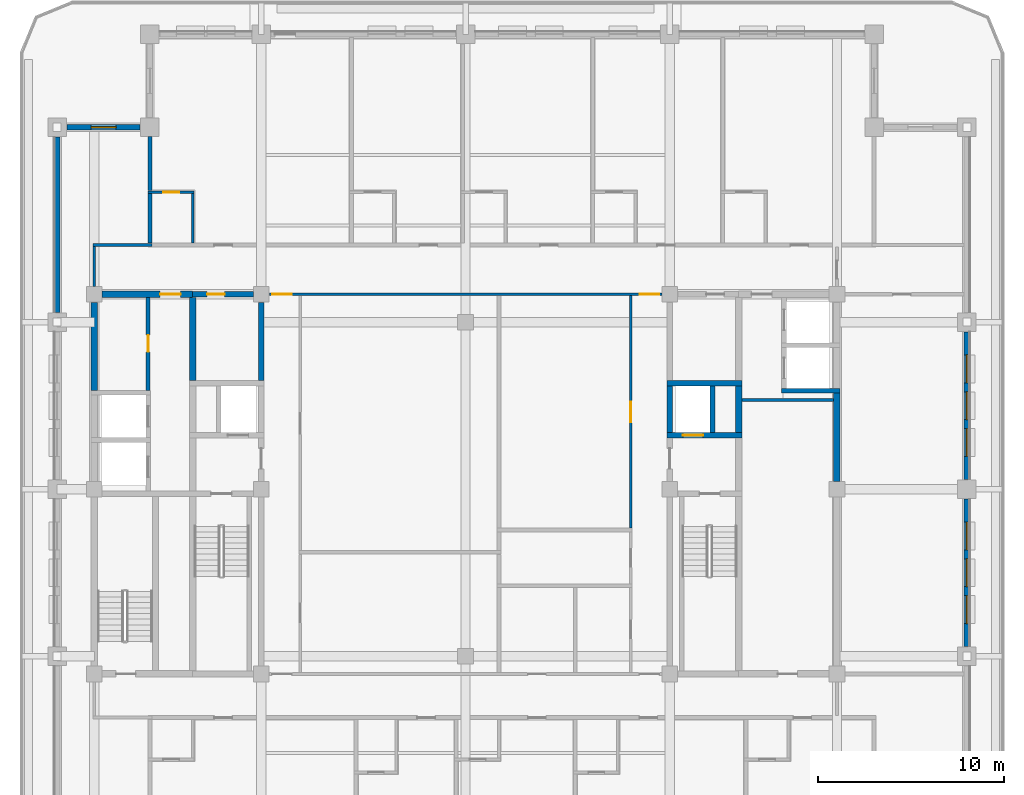
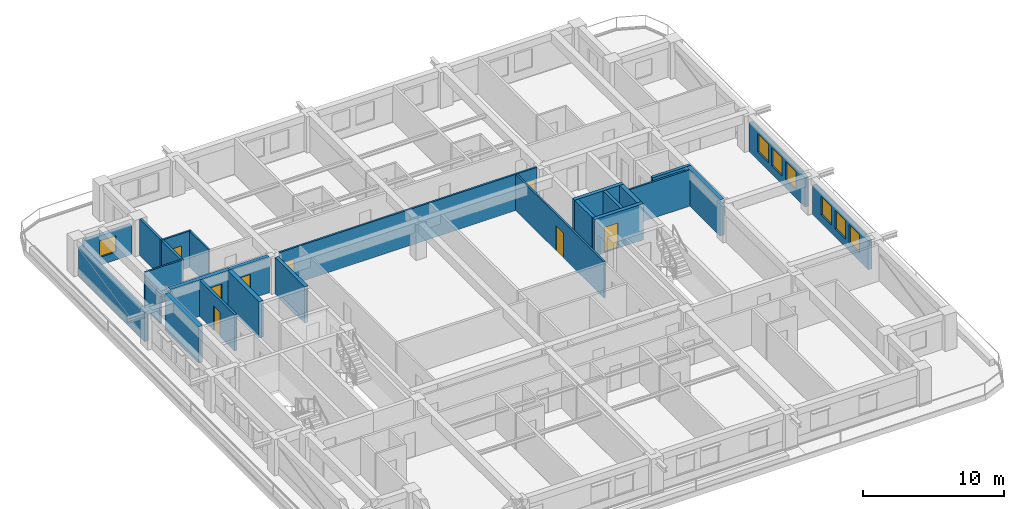
# One storey, part 5 of 13: 26 walls, 8 doors, 7 windows, 15 openings.
"""IFC4 building model written with IfcOpenShell, lengths in metres."""

from ifc_helpers import new_model, si_unit, direction, frame, frame_2d, origin, place, context, subcontext, project, spatial, rectangle, extrude, material, layer, layer_set, type_object, element, fill, save


model = new_model("IFC4")

# Units and contexts
model_context = context("Model", 3, precision=1e-05, world=origin(), true_north=direction((0.0, 1.0)))
body_context = subcontext(model_context, "Body", "Model", "MODEL_VIEW")
ifc_project = project(units=[si_unit("LENGTHUNIT", "METRE"), si_unit("AREAUNIT", "SQUARE_METRE"), si_unit("VOLUMEUNIT", "CUBIC_METRE"), si_unit("PLANEANGLEUNIT", "RADIAN"), si_unit("MASSUNIT", "GRAM", prefix="KILO")], contexts=[model_context])

# Site, building, storey
site_placement = place(None, origin())
site = spatial("IfcSite", under=ifc_project, at=site_placement, CompositionType="ELEMENT")
building_placement = place(site_placement, origin())
building = spatial("IfcBuilding", under=site, at=building_placement, Name="Zulmaris Gate Convention Tower", CompositionType="ELEMENT")
storey_placement = place(building_placement, frame((0.0, 0.0, 166.059814453125)))
storey = spatial("IfcBuildingStorey", under=building, at=storey_placement, Name="L42", CompositionType="ELEMENT", Elevation=166.059814453125)

# Walls
ifc_material_1 = material(Name="Concrete C50/60", Category="concrete")
ifc_layer_1 = layer(ifc_material_1, 0.25, Name="Concrete C50/60")
ifc_layer_set_1 = layer_set([ifc_layer_1], Name="Concrete C50/60")
wall_type_1 = type_object("IfcWallType", Name="CORE-250", PredefinedType="SOLIDWALL", material=ifc_layer_set_1)
wall_1_placement = place(storey_placement, frame((17.02490234375, 5.300048828125, 0.0), z_axis=(0.0, 0.0, 1.0), x_axis=(1.0, 0.0, 0.0)))
element("IfcWall", 1, at=wall_1_placement, inside=storey, type_object=wall_type_1, Name="WL-L42-011", PredefinedType="SOLIDWALL", context=body_context, shape_type="SweptSolid", body=[
    extrude(rectangle(XDim=3.150146484375, YDim=0.25, at=frame_2d((1.5751953125, 0.0))), origin(), (0.0, 0.0, 1.0), 3.150146484375),
])
wall_2_placement = place(storey_placement, frame((13.300048828125, 3.052001953125, 0.0), z_axis=(0.0, 0.0, 1.0), x_axis=(0.0, 1.0, 0.0)))
element("IfcWall", 2, at=wall_2_placement, inside=storey, type_object=wall_type_1, Name="WL-L42-064", PredefinedType="SOLIDWALL", context=body_context, shape_type="SweptSolid", body=[
    extrude(rectangle(XDim=2.49609375, YDim=0.25, at=frame_2d((1.248046875, 0.0))), origin(), (0.0, 0.0, 1.0), 3.150146484375),
])

# Wall, opening, door
ifc_layer_2 = layer(ifc_material_1, 0.300048828125, Name="Concrete C50/60")
ifc_layer_set_2 = layer_set([ifc_layer_2], Name="Concrete C50/60")
wall_type_2 = type_object("IfcWallType", Name="CORE-300", PredefinedType="SHEAR", material=ifc_layer_set_2)
wall_3_placement = place(storey_placement, frame((10.85009765625, 2.89990234375, 0.0), z_axis=(0.0, 0.0, 1.0), x_axis=(1.0, 0.0, 0.0)))
wall_3 = element("IfcWall", 3, at=wall_3_placement, inside=storey, type_object=wall_type_2, Name="WL-L42-009", PredefinedType="SHEAR", context=body_context, shape_type="SweptSolid", body=[
    extrude(rectangle(XDim=4.02490234375, YDim=0.300048828125, at=frame_2d((2.012451171875, 0.0))), origin(), (0.0, 0.0, 1.0), 3.150146484375),
])
opening_1_placement = place(wall_3_placement, frame((0.85009765625, 0.0, 0.0)))
opening_1 = element("IfcOpeningElement", 4, at=opening_1_placement, cuts=wall_3, Name="Opening D-06", PredefinedType="OPENING", context=body_context, shape_type="SweptSolid", body=[
    extrude(rectangle(XDim=1.10009765625, YDim=2.199951171875, at=frame_2d((0.550048828125, 1.10009765625))), frame((0.0, 0.16015625, 0.0), z_axis=(0.0, -1.0, 0.0), x_axis=(1.0, 0.0, 0.0)), (0.0, 0.0, 1.0), 0.320068359375),
])
ifc_material_2 = material(Name="Brushed Stainless Steel", Category="steel")
door_type_1 = type_object("IfcDoorType", Name="LD-1100", OperationType="NOTDEFINED", PredefinedType="DOOR", material=ifc_material_2)
door_1_placement = place(opening_1_placement, origin())
door_1 = element("IfcDoor", 5, at=door_1_placement, inside=storey, type_object=door_type_1, Name="L42 Lift Landing Door LF-02 06", OperationType="SLIDING_TO_RIGHT", OverallHeight=2.199951171875, OverallWidth=1.10009765625, PredefinedType="DOOR", context=body_context, shape_type="SweptSolid", body=[
    extrude(rectangle(XDim=1.10009765625, YDim=2.199951171875, at=frame_2d((0.550048828125, 1.10009765625))), frame((0.0, 0.02490234375, 0.0), z_axis=(0.0, -1.0, 0.0), x_axis=(1.0, 0.0, 0.0)), (0.0, 0.0, 1.0), 0.050048828125),
])
fill(opening_1, door_1)

# Wall
wall_4_placement = place(storey_placement, frame((10.85009765625, 5.699951171875, 0.0), z_axis=(0.0, 0.0, 1.0), x_axis=(1.0, 0.0, 0.0)))
element("IfcWall", 6, at=wall_4_placement, inside=storey, type_object=wall_type_2, Name="WL-L42-013", PredefinedType="SHEAR", context=body_context, shape_type="SweptSolid", body=[
    extrude(rectangle(XDim=4.02490234375, YDim=0.300048828125, at=frame_2d((2.012451171875, 0.0))), origin(), (0.0, 0.0, 1.0), 3.150146484375),
])

# Wall, opening, door
wall_5_placement = place(storey_placement, frame((-14.699951171875, 10.5, 0.0), z_axis=(0.0, 0.0, 1.0), x_axis=(1.0, 0.0, 0.0)))
wall_5 = element("IfcWall", 7, at=wall_5_placement, inside=storey, type_object=wall_type_2, Name="WL-L42-016", PredefinedType="SHEAR", context=body_context, shape_type="SweptSolid", body=[
    extrude(rectangle(XDim=3.27099609375, YDim=0.300048828125, at=frame_2d((1.635498046875, 0.0))), origin(), (0.0, 0.0, 1.0), 3.150146484375),
])
opening_2_placement = place(wall_5_placement, frame((0.77490234375, 0.0, 0.0)))
opening_2 = element("IfcOpeningElement", 8, at=opening_2_placement, cuts=wall_5, Name="Opening D-11", PredefinedType="OPENING", context=body_context, shape_type="SweptSolid", body=[
    extrude(rectangle(XDim=0.949951171875, YDim=2.14990234375, at=frame_2d((0.47509765625, 1.074951171875))), frame((0.0, 0.16015625, 0.0), z_axis=(0.0, -1.0, 0.0), x_axis=(1.0, 0.0, 0.0)), (0.0, 0.0, 1.0), 0.320068359375),
])
ifc_material_3 = material(Name="Fire-Rated Timber", Category="wood")
door_type_2 = type_object("IfcDoorType", Name="DR-950-FD", OperationType="NOTDEFINED", PredefinedType="DOOR", material=ifc_material_3)
door_2_placement = place(opening_2_placement, origin())
door_2 = element("IfcDoor", 9, at=door_2_placement, inside=storey, type_object=door_type_2, Name="L42 Core Pantry Door 07", OperationType="SINGLE_SWING_LEFT", OverallHeight=2.14990234375, OverallWidth=0.949951171875, PredefinedType="DOOR", context=body_context, shape_type="SweptSolid", body=[
    extrude(rectangle(XDim=0.949951171875, YDim=2.14990234375, at=frame_2d((0.47509765625, 1.074951171875))), frame((0.0, 0.02490234375, 0.0), z_axis=(0.0, -1.0, 0.0), x_axis=(1.0, 0.0, 0.0)), (0.0, 0.0, 1.0), 0.050048828125),
])
fill(opening_2, door_2)

# Walls
wall_6_placement = place(storey_placement, frame((-11.0, 5.85205078125, 0.0), z_axis=(0.0, 0.0, 1.0), x_axis=(0.0, 1.0, 0.0)))
element("IfcWall", 10, at=wall_6_placement, inside=storey, type_object=wall_type_2, Name="WL-L42-058", PredefinedType="SHEAR", context=body_context, shape_type="SweptSolid", body=[
    extrude(rectangle(XDim=4.218994140625, YDim=0.300048828125, at=frame_2d((2.109375, 0.0))), origin(), (0.0, 0.0, 1.0), 3.150146484375),
])
wall_7_placement = place(storey_placement, frame((11.0, 3.052001953125, 0.0), z_axis=(0.0, 0.0, 1.0), x_axis=(0.0, 1.0, 0.0)))
element("IfcWall", 11, at=wall_7_placement, inside=storey, type_object=wall_type_2, Name="WL-L42-061", PredefinedType="SHEAR", context=body_context, shape_type="SweptSolid", body=[
    extrude(rectangle(XDim=2.49609375, YDim=0.300048828125, at=frame_2d((1.248046875, 0.0))), origin(), (0.0, 0.0, 1.0), 3.150146484375),
])

# Wall, opening, door
ifc_material_4 = material(Name="Concrete C55/67", Category="concrete")
ifc_layer_3 = layer(ifc_material_4, 0.35009765625, Name="Concrete C55/67")
ifc_layer_set_3 = layer_set([ifc_layer_3], Name="Concrete C55/67")
wall_type_3 = type_object("IfcWallType", Name="CORE-350", PredefinedType="SHEAR", material=ifc_layer_set_3)
wall_8_placement = place(storey_placement, frame((-19.571044921875, 10.5, 0.0), z_axis=(0.0, 0.0, 1.0), x_axis=(1.0, 0.0, 0.0)))
wall_8 = element("IfcWall", 12, at=wall_8_placement, inside=storey, type_object=wall_type_3, Name="WL-L42-015", PredefinedType="SHEAR", context=body_context, shape_type="SweptSolid", body=[
    extrude(rectangle(XDim=4.87109375, YDim=0.35009765625, at=frame_2d((2.435546875, 0.0))), origin(), (0.0, 0.0, 1.0), 3.150146484375),
])
opening_3_placement = place(wall_8_placement, frame((3.12109375, 0.0, 0.0)))
opening_3 = element("IfcOpeningElement", 13, at=opening_3_placement, cuts=wall_8, Name="Opening D-08", PredefinedType="OPENING", context=body_context, shape_type="SweptSolid", body=[
    extrude(rectangle(XDim=1.10009765625, YDim=2.14990234375, at=frame_2d((0.550048828125, 1.074951171875))), frame((0.0, 0.18505859375, 0.0), z_axis=(0.0, -1.0, 0.0), x_axis=(1.0, 0.0, 0.0)), (0.0, 0.0, 1.0), 0.3701171875),
])
ifc_material_5 = material(Name="Fire-Rated Steel", Category="steel")
door_type_3 = type_object("IfcDoorType", Name="DR-1100-FD", OperationType="NOTDEFINED", PredefinedType="DOOR", material=ifc_material_5)
door_3_placement = place(opening_3_placement, origin())
door_3 = element("IfcDoor", 14, at=door_3_placement, inside=storey, type_object=door_type_3, Name="L42 High-Rise West Lift Lobby Door 12", OperationType="SINGLE_SWING_RIGHT", OverallHeight=2.14990234375, OverallWidth=1.10009765625, PredefinedType="DOOR", context=body_context, shape_type="SweptSolid", body=[
    extrude(rectangle(XDim=1.10009765625, YDim=2.14990234375, at=frame_2d((0.550048828125, 1.074951171875))), frame((0.0, 0.02490234375, 0.0), z_axis=(0.0, -1.0, 0.0), x_axis=(1.0, 0.0, 0.0)), (0.0, 0.0, 1.0), 0.050048828125),
])
fill(opening_3, door_3)

# Walls
wall_9_placement = place(storey_placement, frame((-20.0, 5.326904296875, 0.0), z_axis=(0.0, 0.0, 1.0), x_axis=(0.0, 1.0, 0.0)))
element("IfcWall", 15, at=wall_9_placement, inside=storey, type_object=wall_type_3, Name="WL-L42-045", PredefinedType="SHEAR", context=body_context, shape_type="SweptSolid", body=[
    extrude(rectangle(XDim=4.744140625, YDim=0.35009765625, at=frame_2d((2.3720703125, 0.0))), origin(), (0.0, 0.0, 1.0), 3.150146484375),
])
wall_10_placement = place(storey_placement, frame((-14.699951171875, 5.85205078125, 0.0), z_axis=(0.0, 0.0, 1.0), x_axis=(0.0, 1.0, 0.0)))
element("IfcWall", 16, at=wall_10_placement, inside=storey, type_object=wall_type_3, Name="WL-L42-052", PredefinedType="SHEAR", context=body_context, shape_type="SweptSolid", body=[
    extrude(rectangle(XDim=4.470947265625, YDim=0.35009765625, at=frame_2d((2.2353515625, 0.0))), origin(), (0.0, 0.0, 1.0), 3.150146484375),
])
wall_11_placement = place(storey_placement, frame((14.699951171875, 3.052001953125, 0.0), z_axis=(0.0, 0.0, 1.0), x_axis=(0.0, 1.0, 0.0)))
element("IfcWall", 17, at=wall_11_placement, inside=storey, type_object=wall_type_3, Name="WL-L42-067", PredefinedType="SHEAR", context=body_context, shape_type="SweptSolid", body=[
    extrude(rectangle(XDim=2.49609375, YDim=0.35009765625, at=frame_2d((1.248046875, 0.0))), origin(), (0.0, 0.0, 1.0), 3.150146484375),
])
wall_12_placement = place(storey_placement, frame((20.0, 0.428955078125, 0.0), z_axis=(0.0, 0.0, 1.0), x_axis=(0.0, 1.0, 0.0)))
element("IfcWall", 18, at=wall_12_placement, inside=storey, type_object=wall_type_3, Name="WL-L42-071S1", PredefinedType="SHEAR", context=body_context, shape_type="SweptSolid", body=[
    extrude(rectangle(XDim=4.744140625, YDim=0.35009765625, at=frame_2d((2.3720703125, 0.0))), origin(), (0.0, 0.0, 1.0), 3.150146484375),
])
ifc_material_6 = material(Name="Gypsum Metal Stud Partition")
ifc_layer_4 = layer(ifc_material_6, 0.14990234375, Name="Gypsum Metal Stud Partition")
ifc_layer_set_4 = layer_set([ifc_layer_4], Name="Gypsum Metal Stud Partition")
wall_type_4 = type_object("IfcWallType", Name="PART-150", PredefinedType="PARTITIONING", material=ifc_layer_set_4)
wall_13_placement = place(storey_placement, frame((14.8779296875, 4.800048828125, 0.0), z_axis=(0.0, 0.0, 1.0), x_axis=(1.0, 0.0, 0.0)))
element("IfcWall", 19, at=wall_13_placement, inside=storey, type_object=wall_type_4, Name="WL-L42-031", PredefinedType="PARTITIONING", context=body_context, shape_type="SweptSolid", body=[
    extrude(rectangle(XDim=4.944091796875, YDim=0.14990234375, at=frame_2d((2.47216796875, 0.0))), origin(), (0.0, 0.0, 1.0), 3.150146484375),
])

# Wall, openings, doors
wall_14_placement = place(storey_placement, frame((-10.569091796875, 10.5, 0.0), z_axis=(0.0, 0.0, 1.0), x_axis=(1.0, 0.0, 0.0)))
wall_14 = element("IfcWall", 20, at=wall_14_placement, inside=storey, type_object=wall_type_4, Name="WL-L42-032", PredefinedType="PARTITIONING", context=body_context, shape_type="SweptSolid", body=[
    extrude(rectangle(XDim=21.13818359375, YDim=0.14990234375, at=frame_2d((10.569091796875, 0.0))), origin(), (0.0, 0.0, 1.0), 3.150146484375),
])
opening_4_placement = place(wall_14_placement, frame((0.14990234375, 0.0, 0.0)))
opening_4 = element("IfcOpeningElement", 21, at=opening_4_placement, cuts=wall_14, Name="Opening D-09", PredefinedType="OPENING", context=body_context, shape_type="SweptSolid", body=[
    extrude(rectangle(XDim=1.050048828125, YDim=2.14990234375, at=frame_2d((0.52490234375, 1.074951171875))), frame((0.0, 0.0849609375, 0.0), z_axis=(0.0, -1.0, 0.0), x_axis=(1.0, 0.0, 0.0)), (0.0, 0.0, 1.0), 0.169921875),
])
opening_5_placement = place(wall_14_placement, frame((19.93798828125, 0.0, 0.0)))
opening_5 = element("IfcOpeningElement", 22, at=opening_5_placement, cuts=wall_14, Name="Opening D-09", PredefinedType="OPENING", context=body_context, shape_type="SweptSolid", body=[
    extrude(rectangle(XDim=1.050048828125, YDim=2.14990234375, at=frame_2d((0.52490234375, 1.074951171875))), frame((0.0, 0.0849609375, 0.0), z_axis=(0.0, -1.0, 0.0), x_axis=(1.0, 0.0, 0.0)), (0.0, 0.0, 1.0), 0.169921875),
])
door_type_4 = type_object("IfcDoorType", Name="DR-1050-FD", OperationType="NOTDEFINED", PredefinedType="DOOR", material=ifc_material_5)
door_4_placement = place(opening_4_placement, origin())
door_4 = element("IfcDoor", 23, at=door_4_placement, inside=storey, type_object=door_type_4, Name="L42 NW Hotel Loop Door 18", OperationType="SINGLE_SWING_RIGHT", OverallHeight=2.14990234375, OverallWidth=1.050048828125, PredefinedType="DOOR", context=body_context, shape_type="SweptSolid", body=[
    extrude(rectangle(XDim=1.050048828125, YDim=2.14990234375, at=frame_2d((0.52490234375, 1.074951171875))), frame((0.0, 0.02490234375, 0.0), z_axis=(0.0, -1.0, 0.0), x_axis=(1.0, 0.0, 0.0)), (0.0, 0.0, 1.0), 0.050048828125),
])
fill(opening_4, door_4)
door_5_placement = place(opening_5_placement, origin())
door_5 = element("IfcDoor", 24, at=door_5_placement, inside=storey, type_object=door_type_4, Name="L42 NE Hotel Loop Door 20", OperationType="SINGLE_SWING_RIGHT", OverallHeight=2.14990234375, OverallWidth=1.050048828125, PredefinedType="DOOR", context=body_context, shape_type="SweptSolid", body=[
    extrude(rectangle(XDim=1.050048828125, YDim=2.14990234375, at=frame_2d((0.52490234375, 1.074951171875))), frame((0.0, 0.02490234375, 0.0), z_axis=(0.0, -1.0, 0.0), x_axis=(1.0, 0.0, 0.0)), (0.0, 0.0, 1.0), 0.050048828125),
])
fill(opening_5, door_5)

# Wall
wall_15_placement = place(storey_placement, frame((-20.074951171875, 13.14990234375, 0.0), z_axis=(0.0, 0.0, 1.0), x_axis=(1.0, 0.0, 0.0)))
element("IfcWall", 25, at=wall_15_placement, inside=storey, type_object=wall_type_4, Name="WL-L42-034", PredefinedType="PARTITIONING", context=body_context, shape_type="SweptSolid", body=[
    extrude(rectangle(XDim=3.175048828125, YDim=0.14990234375, at=frame_2d((1.58740234375, 0.0))), origin(), (0.0, 0.0, 1.0), 3.150146484375),
])

# Wall, opening, door
wall_16_placement = place(storey_placement, frame((-17.10009765625, 16.0, 0.0), z_axis=(0.0, 0.0, 1.0), x_axis=(1.0, 0.0, 0.0)))
wall_16 = element("IfcWall", 26, at=wall_16_placement, inside=storey, type_object=wall_type_4, Name="WL-L42-037", PredefinedType="PARTITIONING", context=body_context, shape_type="SweptSolid", body=[
    extrude(rectangle(XDim=2.47509765625, YDim=0.14990234375, at=frame_2d((1.237548828125, 0.0))), origin(), (0.0, 0.0, 1.0), 3.150146484375),
])
opening_6_placement = place(wall_16_placement, frame((0.824951171875, 0.0, 0.0)))
opening_6 = element("IfcOpeningElement", 27, at=opening_6_placement, cuts=wall_16, Name="Opening D-17", PredefinedType="OPENING", context=body_context, shape_type="SweptSolid", body=[
    extrude(rectangle(XDim=0.85009765625, YDim=2.10009765625, at=frame_2d((0.425048828125, 1.050048828125))), frame((0.0, 0.0849609375, 0.0), z_axis=(0.0, -1.0, 0.0), x_axis=(1.0, 0.0, 0.0)), (0.0, 0.0, 1.0), 0.169921875),
])
ifc_material_7 = material(Name="Moisture-Resistant Hardwood Timber", Category="wood")
door_type_5 = type_object("IfcDoorType", Name="DR-850", OperationType="NOTDEFINED", PredefinedType="DOOR", material=ifc_material_7)
door_6_placement = place(opening_6_placement, origin())
door_6 = element("IfcDoor", 28, at=door_6_placement, inside=storey, type_object=door_type_5, Name="L42 En-Suite Door 23", OperationType="SINGLE_SWING_LEFT", OverallHeight=2.10009765625, OverallWidth=0.85009765625, PredefinedType="DOOR", context=body_context, shape_type="SweptSolid", body=[
    extrude(rectangle(XDim=0.85009765625, YDim=2.10009765625, at=frame_2d((0.425048828125, 1.050048828125))), frame((0.0, 0.02490234375, 0.0), z_axis=(0.0, -1.0, 0.0), x_axis=(1.0, 0.0, 0.0)), (0.0, 0.0, 1.0), 0.050048828125),
])
fill(opening_6, door_6)

# Walls
wall_17_placement = place(storey_placement, frame((-20.0, 10.930908203125, 0.0), z_axis=(0.0, 0.0, 1.0), x_axis=(0.0, 1.0, 0.0)))
element("IfcWall", 29, at=wall_17_placement, inside=storey, type_object=wall_type_4, Name="WL-L42-075", PredefinedType="PARTITIONING", context=body_context, shape_type="SweptSolid", body=[
    extrude(rectangle(XDim=2.14111328125, YDim=0.14990234375, at=frame_2d((1.070556640625, 0.0))), origin(), (0.0, 0.0, 1.0), 2.34228515625),
])
wall_18_placement = place(storey_placement, frame((-14.699951171875, 13.2529296875, 0.0), z_axis=(0.0, 0.0, 1.0), x_axis=(0.0, 1.0, 0.0)))
element("IfcWall", 30, at=wall_18_placement, inside=storey, type_object=wall_type_4, Name="WL-L42-082", PredefinedType="PARTITIONING", context=body_context, shape_type="SweptSolid", body=[
    extrude(rectangle(XDim=2.669189453125, YDim=0.14990234375, at=frame_2d((1.33447265625, 0.0))), origin(), (0.0, 0.0, 1.0), 3.150146484375),
])

# Wall, opening, door
wall_19_placement = place(storey_placement, frame((8.89990234375, -2.096923828125, 0.0), z_axis=(0.0, 0.0, 1.0), x_axis=(0.0, 1.0, 0.0)))
wall_19 = element("IfcWall", 31, at=wall_19_placement, inside=storey, type_object=wall_type_4, Name="WL-L42-109", PredefinedType="PARTITIONING", context=body_context, shape_type="SweptSolid", body=[
    extrude(rectangle(XDim=12.51904296875, YDim=0.14990234375, at=frame_2d((6.259521484375, 0.0))), origin(), (0.0, 0.0, 1.0), 3.150146484375),
])
opening_7_placement = place(wall_19_placement, frame((5.697021484375, 0.0, 0.0)))
opening_7 = element("IfcOpeningElement", 32, at=opening_7_placement, cuts=wall_19, Name="Opening D-08", PredefinedType="OPENING", context=body_context, shape_type="SweptSolid", body=[
    extrude(rectangle(XDim=1.10009765625, YDim=2.14990234375, at=frame_2d((0.550048828125, 1.074951171875))), frame((0.0, 0.0849609375, 0.0), z_axis=(0.0, -1.0, 0.0), x_axis=(1.0, 0.0, 0.0)), (0.0, 0.0, 1.0), 0.169921875),
])
door_7_placement = place(opening_7_placement, origin())
door_7 = element("IfcDoor", 33, at=door_7_placement, inside=storey, type_object=door_type_3, Name="L42 Breakout Room Door 44", OperationType="SINGLE_SWING_RIGHT", OverallHeight=2.14990234375, OverallWidth=1.10009765625, PredefinedType="DOOR", context=body_context, shape_type="SweptSolid", body=[
    extrude(rectangle(XDim=1.10009765625, YDim=2.14990234375, at=frame_2d((0.550048828125, 1.074951171875))), frame((0.0, 0.02490234375, 0.0), z_axis=(0.0, -1.0, 0.0), x_axis=(1.0, 0.0, 0.0)), (0.0, 0.0, 1.0), 0.050048828125),
])
fill(opening_7, door_7)

ifc_material_8 = material(Name="Autoclaved Aerated Concrete Block and Plasterboard", Category="concrete")
ifc_layer_5 = layer(ifc_material_8, 0.199951171875, Name="Autoclaved Aerated Concrete Block and Plasterboard")
ifc_layer_set_5 = layer_set([ifc_layer_5], Name="Autoclaved Aerated Concrete Block and Plasterboard")
wall_type_5 = type_object("IfcWallType", Name="PART-200", PredefinedType="PARTITIONING", material=ifc_layer_set_5)
wall_20_placement = place(storey_placement, frame((-17.10009765625, 5.327880859375, 0.0), z_axis=(0.0, 0.0, 1.0), x_axis=(0.0, 1.0, 0.0)))
wall_20 = element("IfcWall", 34, at=wall_20_placement, inside=storey, type_object=wall_type_5, Name="WL-L42-076", PredefinedType="PARTITIONING", context=body_context, shape_type="SweptSolid", body=[
    extrude(rectangle(XDim=4.994140625, YDim=0.199951171875, at=frame_2d((2.4970703125, 0.0))), origin(), (0.0, 0.0, 1.0), 3.150146484375),
])
opening_8_placement = place(wall_20_placement, frame((2.072021484375, 0.0, 0.0)))
opening_8 = element("IfcOpeningElement", 35, at=opening_8_placement, cuts=wall_20, Name="Opening D-12", PredefinedType="OPENING", context=body_context, shape_type="SweptSolid", body=[
    extrude(rectangle(XDim=0.89990234375, YDim=2.14990234375, at=frame_2d((0.449951171875, 1.074951171875))), frame((0.0, 0.10986328125, 0.0), z_axis=(0.0, -1.0, 0.0), x_axis=(1.0, 0.0, 0.0)), (0.0, 0.0, 1.0), 0.219970703125),
])
door_type_6 = type_object("IfcDoorType", Name="DR-900-FD", OperationType="NOTDEFINED", PredefinedType="DOOR", material=ifc_material_3)
door_8_placement = place(opening_8_placement, origin())
door_8 = element("IfcDoor", 36, at=door_8_placement, inside=storey, type_object=door_type_6, Name="L42 Housekeeping Door 13", OperationType="SINGLE_SWING_LEFT", OverallHeight=2.14990234375, OverallWidth=0.89990234375, PredefinedType="DOOR", context=body_context, shape_type="SweptSolid", body=[
    extrude(rectangle(XDim=0.89990234375, YDim=2.14990234375, at=frame_2d((0.449951171875, 1.074951171875))), frame((0.0, 0.02490234375, 0.0), z_axis=(0.0, -1.0, 0.0), x_axis=(1.0, 0.0, 0.0)), (0.0, 0.0, 1.0), 0.050048828125),
])
fill(opening_8, door_8)

# Walls
wall_21_placement = place(storey_placement, frame((-17.0, 13.2529296875, 0.0), z_axis=(0.0, 0.0, 1.0), x_axis=(0.0, 1.0, 0.0)))
element("IfcWall", 37, at=wall_21_placement, inside=storey, type_object=wall_type_5, Name="WL-L42-079", PredefinedType="PARTITIONING", context=body_context, shape_type="SweptSolid", body=[
    extrude(rectangle(XDim=2.669189453125, YDim=0.199951171875, at=frame_2d((1.33447265625, 0.0))), origin(), (0.0, 0.0, 1.0), 3.150146484375),
])
wall_22_placement = place(storey_placement, frame((-17.0, 16.077880859375, 0.0), z_axis=(0.0, 0.0, 1.0), x_axis=(0.0, 1.0, 0.0)))
element("IfcWall", 38, at=wall_22_placement, inside=storey, type_object=wall_type_5, Name="WL-L42-080", PredefinedType="PARTITIONING", context=body_context, shape_type="SweptSolid", body=[
    extrude(rectangle(XDim=2.916015625, YDim=0.199951171875, at=frame_2d((1.4580078125, 0.0))), origin(), (0.0, 0.0, 1.0), 3.150146484375),
])

# Wall, opening, window
ifc_material_9 = material(Name="Precast concrete C40/50", Category="concrete")
ifc_layer_6 = layer(ifc_material_9, 0.300048828125, Name="Precast concrete C40/50")
ifc_layer_set_6 = layer_set([ifc_layer_6], Name="Precast concrete C40/50")
wall_type_6 = type_object("IfcWallType", Name="PRECAST-PIER-300", PredefinedType="STANDARD", material=ifc_layer_set_6)
wall_23_placement = place(storey_placement, frame((-17.530029296875, 19.5, 0.0), z_axis=(0.0, 0.0, 1.0), x_axis=(-1.0, 0.0, 0.0)))
wall_23 = element("IfcWall", 39, at=wall_23_placement, inside=storey, type_object=wall_type_6, Name="EW-L42-NOTCH-NW2_0", PredefinedType="STANDARD", context=body_context, shape_type="SweptSolid", body=[
    extrude(rectangle(XDim=3.93994140625, YDim=0.300048828125, at=frame_2d((1.969970703125, 0.0))), origin(), (0.0, 0.0, 1.0), 2.542236328125),
])
opening_9_placement = place(wall_23_placement, frame((1.294921875, 0.0, 0.679931640625)))
opening_9 = element("IfcOpeningElement", 40, at=opening_9_placement, cuts=wall_23, Name="Opening W-10", PredefinedType="OPENING", context=body_context, shape_type="SweptSolid", body=[
    extrude(rectangle(XDim=1.35009765625, YDim=1.419921875, at=frame_2d((0.675048828125, 0.7099609375))), frame((0.0, 0.16015625, 0.0), z_axis=(0.0, -1.0, 0.0), x_axis=(1.0, 0.0, 0.0)), (0.0, 0.0, 1.0), 0.320068359375),
])
ifc_material_10 = material(Name="Low-E Laminated Double Glazing in Aluminium Frame", Category="aluminium")
window_type_1 = type_object("IfcWindowType", Name="WIN-1350x2000", PartitioningType="SINGLE_PANEL", PredefinedType="WINDOW", material=ifc_material_10)
window_1_placement = place(opening_9_placement, origin())
window_1 = element("IfcWindow", 41, at=window_1_placement, inside=storey, type_object=window_type_1, Name="WN-EW-L42-NOTCH-NW2_0", OverallHeight=1.419921875, OverallWidth=1.35009765625, PartitioningType="SINGLE_PANEL", PredefinedType="WINDOW", context=body_context, shape_type="SweptSolid", body=[
    extrude(rectangle(XDim=1.35009765625, YDim=1.419921875, at=frame_2d((0.675048828125, 0.7099609375))), frame((0.0, 0.030029296875, 0.0), z_axis=(0.0, -1.0, 0.0), x_axis=(1.0, 0.0, 0.0)), (0.0, 0.0, 1.0), 0.06005859375),
])
fill(opening_9, window_1)

# Wall, openings, windows
wall_24_placement = place(storey_placement, frame((27.0, -8.469970703125, 0.0), z_axis=(0.0, 0.0, 1.0), x_axis=(0.0, 1.0, 0.0)))
wall_24 = element("IfcWall", 42, at=wall_24_placement, inside=storey, type_object=wall_type_6, Name="EW-L42-E-1_0", PredefinedType="STANDARD", context=body_context, shape_type="SweptSolid", body=[
    extrude(rectangle(XDim=7.93994140625, YDim=0.300048828125, at=frame_2d((3.969970703125, 0.0))), origin(), (0.0, 0.0, 1.0), 2.542236328125),
])
opening_10_placement = place(wall_24_placement, frame((1.235107421875, 0.0, 0.719970703125)))
opening_10 = element("IfcOpeningElement", 43, at=opening_10_placement, cuts=wall_24, Name="Opening W-03", PredefinedType="OPENING", context=body_context, shape_type="SweptSolid", body=[
    extrude(rectangle(XDim=1.5, YDim=1.60009765625, at=frame_2d((0.75, 0.800048828125))), frame((0.0, 0.16015625, 0.0), z_axis=(0.0, -1.0, 0.0), x_axis=(1.0, 0.0, 0.0)), (0.0, 0.0, 1.0), 0.320068359375),
])
opening_11_placement = place(wall_24_placement, frame((3.219970703125, 0.0, 0.719970703125)))
opening_11 = element("IfcOpeningElement", 44, at=opening_11_placement, cuts=wall_24, Name="Opening W-03", PredefinedType="OPENING", context=body_context, shape_type="SweptSolid", body=[
    extrude(rectangle(XDim=1.5, YDim=1.60009765625, at=frame_2d((0.75, 0.800048828125))), frame((0.0, 0.16015625, 0.0), z_axis=(0.0, -1.0, 0.0), x_axis=(1.0, 0.0, 0.0)), (0.0, 0.0, 1.0), 0.320068359375),
])
opening_12_placement = place(wall_24_placement, frame((5.205078125, 0.0, 0.719970703125)))
opening_12 = element("IfcOpeningElement", 45, at=opening_12_placement, cuts=wall_24, Name="Opening W-03", PredefinedType="OPENING", context=body_context, shape_type="SweptSolid", body=[
    extrude(rectangle(XDim=1.5, YDim=1.60009765625, at=frame_2d((0.75, 0.800048828125))), frame((0.0, 0.16015625, 0.0), z_axis=(0.0, -1.0, 0.0), x_axis=(1.0, 0.0, 0.0)), (0.0, 0.0, 1.0), 0.320068359375),
])
window_type_2 = type_object("IfcWindowType", Name="WIN-1500x2100", PartitioningType="SINGLE_PANEL", PredefinedType="WINDOW", material=ifc_material_10)
window_2_placement = place(opening_10_placement, origin())
window_2 = element("IfcWindow", 46, at=window_2_placement, inside=storey, type_object=window_type_2, Name="WN-EW-L42-E-1_0-1", OverallHeight=1.60009765625, OverallWidth=1.5, PartitioningType="SINGLE_PANEL", PredefinedType="WINDOW", context=body_context, shape_type="SweptSolid", body=[
    extrude(rectangle(XDim=1.5, YDim=1.60009765625, at=frame_2d((0.75, 0.800048828125))), frame((0.0, 0.030029296875, 0.0), z_axis=(0.0, -1.0, 0.0), x_axis=(1.0, 0.0, 0.0)), (0.0, 0.0, 1.0), 0.06005859375),
])
fill(opening_10, window_2)
window_3_placement = place(opening_11_placement, origin())
window_3 = element("IfcWindow", 47, at=window_3_placement, inside=storey, type_object=window_type_2, Name="WN-EW-L42-E-1_0-2", OverallHeight=1.60009765625, OverallWidth=1.5, PartitioningType="SINGLE_PANEL", PredefinedType="WINDOW", context=body_context, shape_type="SweptSolid", body=[
    extrude(rectangle(XDim=1.5, YDim=1.60009765625, at=frame_2d((0.75, 0.800048828125))), frame((0.0, 0.030029296875, 0.0), z_axis=(0.0, -1.0, 0.0), x_axis=(1.0, 0.0, 0.0)), (0.0, 0.0, 1.0), 0.06005859375),
])
fill(opening_11, window_3)
window_4_placement = place(opening_12_placement, origin())
window_4 = element("IfcWindow", 48, at=window_4_placement, inside=storey, type_object=window_type_2, Name="WN-EW-L42-E-1_0-3", OverallHeight=1.60009765625, OverallWidth=1.5, PartitioningType="SINGLE_PANEL", PredefinedType="WINDOW", context=body_context, shape_type="SweptSolid", body=[
    extrude(rectangle(XDim=1.5, YDim=1.60009765625, at=frame_2d((0.75, 0.800048828125))), frame((0.0, 0.030029296875, 0.0), z_axis=(0.0, -1.0, 0.0), x_axis=(1.0, 0.0, 0.0)), (0.0, 0.0, 1.0), 0.06005859375),
])
fill(opening_12, window_4)

wall_25_placement = place(storey_placement, frame((27.0, 0.530029296875, 0.0), z_axis=(0.0, 0.0, 1.0), x_axis=(0.0, 1.0, 0.0)))
wall_25 = element("IfcWall", 49, at=wall_25_placement, inside=storey, type_object=wall_type_6, Name="EW-L42-E-2_0", PredefinedType="STANDARD", context=body_context, shape_type="SweptSolid", body=[
    extrude(rectangle(XDim=7.93994140625, YDim=0.300048828125, at=frame_2d((3.969970703125, 0.0))), origin(), (0.0, 0.0, 1.0), 2.542236328125),
])
opening_13_placement = place(wall_25_placement, frame((1.235107421875, 0.0, 0.719970703125)))
opening_13 = element("IfcOpeningElement", 50, at=opening_13_placement, cuts=wall_25, Name="Opening W-03", PredefinedType="OPENING", context=body_context, shape_type="SweptSolid", body=[
    extrude(rectangle(XDim=1.5, YDim=1.60009765625, at=frame_2d((0.75, 0.800048828125))), frame((0.0, 0.16015625, 0.0), z_axis=(0.0, -1.0, 0.0), x_axis=(1.0, 0.0, 0.0)), (0.0, 0.0, 1.0), 0.320068359375),
])
opening_14_placement = place(wall_25_placement, frame((3.219970703125, 0.0, 0.719970703125)))
opening_14 = element("IfcOpeningElement", 51, at=opening_14_placement, cuts=wall_25, Name="Opening W-03", PredefinedType="OPENING", context=body_context, shape_type="SweptSolid", body=[
    extrude(rectangle(XDim=1.5, YDim=1.60009765625, at=frame_2d((0.75, 0.800048828125))), frame((0.0, 0.16015625, 0.0), z_axis=(0.0, -1.0, 0.0), x_axis=(1.0, 0.0, 0.0)), (0.0, 0.0, 1.0), 0.320068359375),
])
opening_15_placement = place(wall_25_placement, frame((5.205078125, 0.0, 0.719970703125)))
opening_15 = element("IfcOpeningElement", 52, at=opening_15_placement, cuts=wall_25, Name="Opening W-03", PredefinedType="OPENING", context=body_context, shape_type="SweptSolid", body=[
    extrude(rectangle(XDim=1.5, YDim=1.60009765625, at=frame_2d((0.75, 0.800048828125))), frame((0.0, 0.16015625, 0.0), z_axis=(0.0, -1.0, 0.0), x_axis=(1.0, 0.0, 0.0)), (0.0, 0.0, 1.0), 0.320068359375),
])
window_5_placement = place(opening_13_placement, origin())
window_5 = element("IfcWindow", 53, at=window_5_placement, inside=storey, type_object=window_type_2, Name="WN-EW-L42-E-2_0-1", OverallHeight=1.60009765625, OverallWidth=1.5, PartitioningType="SINGLE_PANEL", PredefinedType="WINDOW", context=body_context, shape_type="SweptSolid", body=[
    extrude(rectangle(XDim=1.5, YDim=1.60009765625, at=frame_2d((0.75, 0.800048828125))), frame((0.0, 0.030029296875, 0.0), z_axis=(0.0, -1.0, 0.0), x_axis=(1.0, 0.0, 0.0)), (0.0, 0.0, 1.0), 0.06005859375),
])
fill(opening_13, window_5)
window_6_placement = place(opening_14_placement, origin())
window_6 = element("IfcWindow", 54, at=window_6_placement, inside=storey, type_object=window_type_2, Name="WN-EW-L42-E-2_0-2", OverallHeight=1.60009765625, OverallWidth=1.5, PartitioningType="SINGLE_PANEL", PredefinedType="WINDOW", context=body_context, shape_type="SweptSolid", body=[
    extrude(rectangle(XDim=1.5, YDim=1.60009765625, at=frame_2d((0.75, 0.800048828125))), frame((0.0, 0.030029296875, 0.0), z_axis=(0.0, -1.0, 0.0), x_axis=(1.0, 0.0, 0.0)), (0.0, 0.0, 1.0), 0.06005859375),
])
fill(opening_14, window_6)
window_7_placement = place(opening_15_placement, origin())
window_7 = element("IfcWindow", 55, at=window_7_placement, inside=storey, type_object=window_type_2, Name="WN-EW-L42-E-2_0-3", OverallHeight=1.60009765625, OverallWidth=1.5, PartitioningType="SINGLE_PANEL", PredefinedType="WINDOW", context=body_context, shape_type="SweptSolid", body=[
    extrude(rectangle(XDim=1.5, YDim=1.60009765625, at=frame_2d((0.75, 0.800048828125))), frame((0.0, 0.030029296875, 0.0), z_axis=(0.0, -1.0, 0.0), x_axis=(1.0, 0.0, 0.0)), (0.0, 0.0, 1.0), 0.06005859375),
])
fill(opening_15, window_7)

# Wall
wall_26_placement = place(storey_placement, frame((-22.0, 18.969970703125, 0.0), z_axis=(0.0, 0.0, 1.0), x_axis=(0.0, -1.0, 0.0)))
element("IfcWall", 56, at=wall_26_placement, inside=storey, type_object=wall_type_6, Name="EW-L42-W-3_0", PredefinedType="STANDARD", context=body_context, shape_type="SweptSolid", body=[
    extrude(rectangle(XDim=9.43994140625, YDim=0.300048828125, at=frame_2d((4.719970703125, 0.0))), origin(), (0.0, 0.0, 1.0), 2.542236328125),
])

save(model, "model.ifc")
